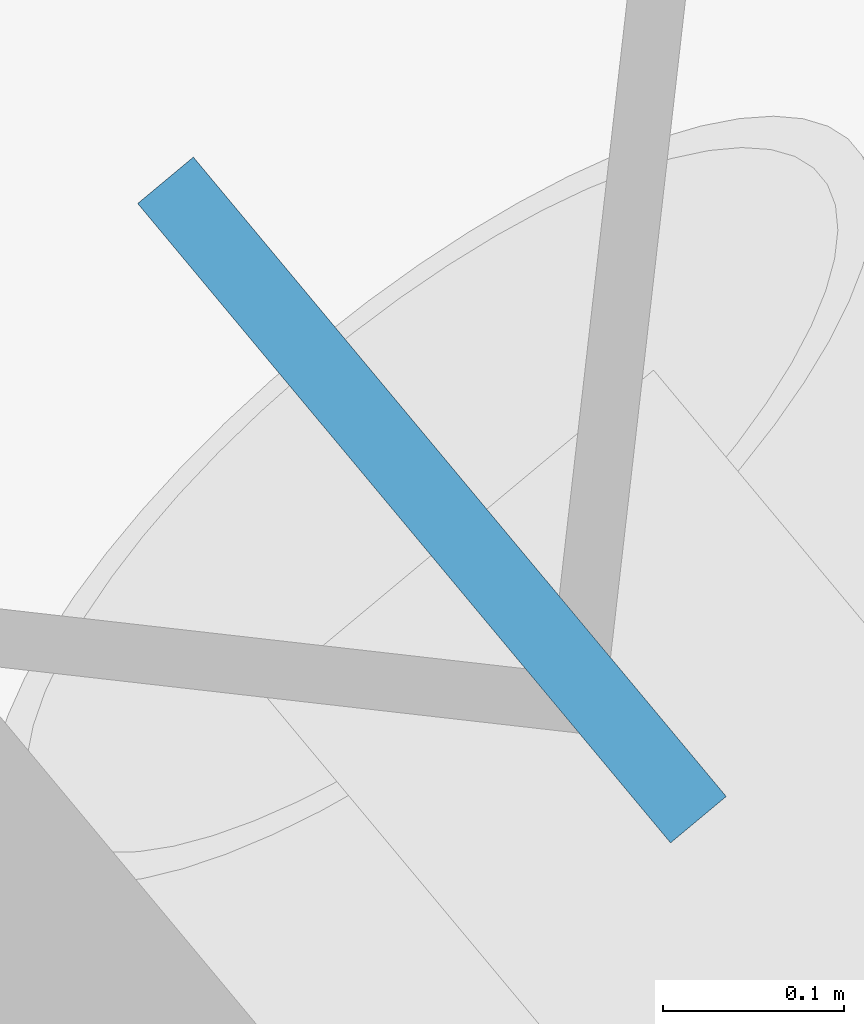
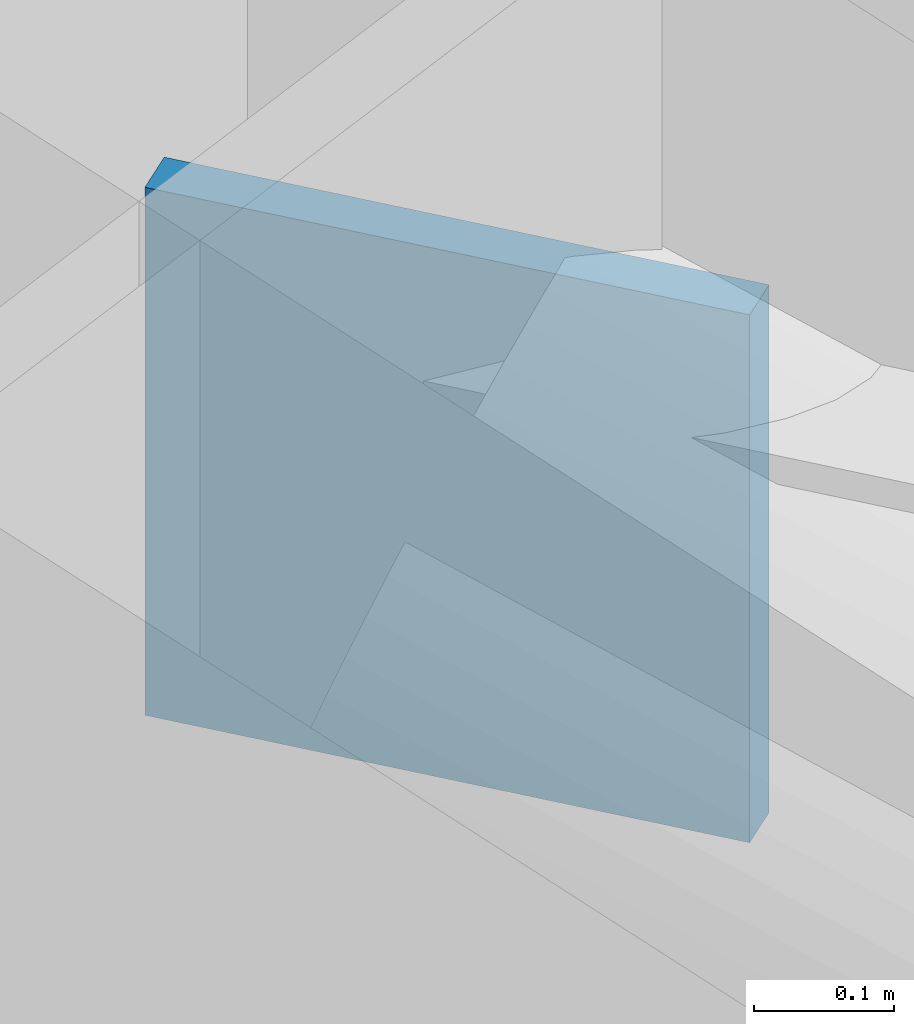
# One storey, part 20 of 21: 1 discrete accessory.
"""IFC4 building model written with IfcOpenShell, lengths in metres."""

from ifc_helpers import new_model, si_unit, direction, frame, origin, origin_2d, place, context, subcontext, project, spatial, rectangle, extrude, material, type_object, element, save


model = new_model("IFC4")

# Units and contexts
model_context = context("Model", 3, precision=1e-05, world=origin(), true_north=direction((0.0, 1.0)))
body_context = subcontext(model_context, "Body", "Model", "MODEL_VIEW")
ifc_project = project(units=[si_unit("LENGTHUNIT", "METRE"), si_unit("AREAUNIT", "SQUARE_METRE"), si_unit("VOLUMEUNIT", "CUBIC_METRE"), si_unit("PLANEANGLEUNIT", "RADIAN"), si_unit("MASSUNIT", "GRAM", prefix="KILO")], contexts=[model_context])

# Site, building, storey
site_placement = place(None, origin())
site = spatial("IfcSite", under=ifc_project, at=site_placement, CompositionType="ELEMENT")
building_placement = place(site_placement, origin())
building = spatial("IfcBuilding", under=site, at=building_placement, Name="Tavrogorsk Clinical Tower", CompositionType="ELEMENT")
storey_placement = place(building_placement, frame((0.0, 0.0, 121.39990234375)))
storey = spatial("IfcBuildingStorey", under=building, at=storey_placement, Name="L27", CompositionType="ELEMENT", Elevation=121.39990234375)

# Discrete accessory
ifc_material = material(Name="Structural steel S440", Category="steel")
discrete_accessory_type = type_object("IfcDiscreteAccessoryType", Name="GussetPlateBracket_25", PredefinedType="BRACKET", material=ifc_material)
discrete_accessory_placement = place(storey_placement, frame((37.2109375, 18.06640625, 2.68310546875), z_axis=(0.0, 0.0, 1.0), x_axis=(-0.640243780506, 0.768171791674, 0.0)))
element("IfcDiscreteAccessory", 1, at=discrete_accessory_placement, inside=storey, type_object=discrete_accessory_type, Name="L27 Brace Gusset Plate EXOCRN-L27-2-B", PredefinedType="BRACKET", context=body_context, shape_type="SweptSolid", body=[
    extrude(rectangle(XDim=0.4599609375, YDim=0.0400390625, at=origin_2d()), origin(), (0.0, 0.0, 1.0), 0.4599609375),
])

save(model, "model.ifc")
